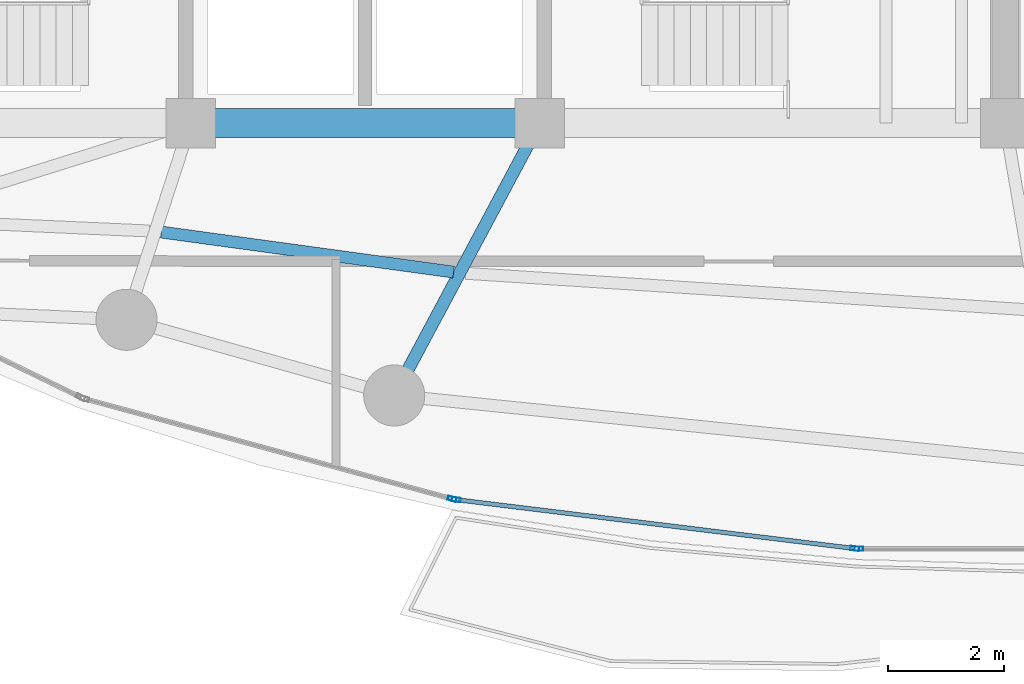
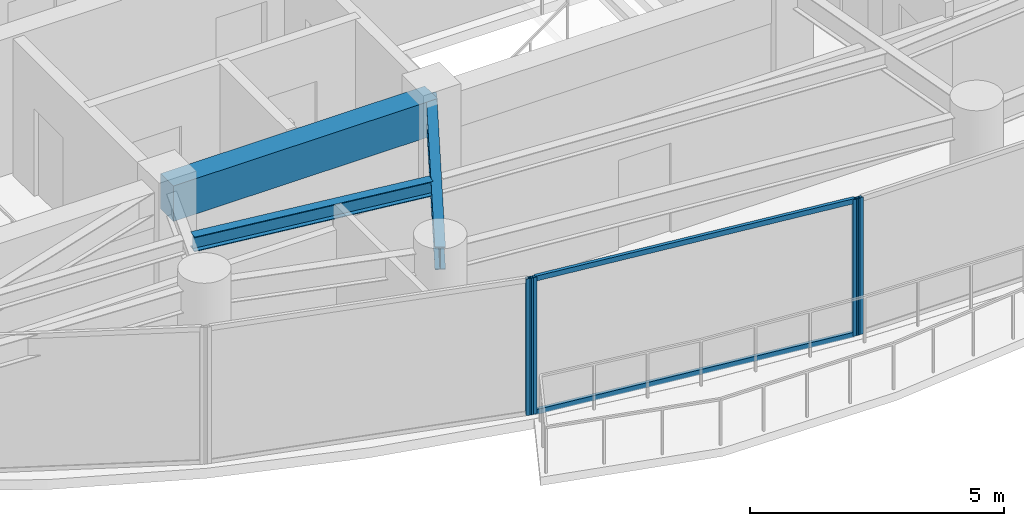
# One storey, part 5 of 29: 6 members, 3 beams, 3 elements without a shape of their own.
"""IFC4 building model written with IfcOpenShell, lengths in metres."""

from ifc_helpers import new_model, si_unit, direction, frame, origin, origin_2d, place, context, subcontext, project, spatial, rectangle, hollow_rectangle, i_section, extrude, material, layer, layer_set, material_profile, profile_set, type_object, element, aggregate, save


model = new_model("IFC4")

# Units and contexts
model_context = context("Model", 3, precision=1e-05, world=origin(), true_north=direction((0.0, 1.0)))
body_context = subcontext(model_context, "Body", "Model", "MODEL_VIEW")
ifc_project = project(units=[si_unit("LENGTHUNIT", "METRE"), si_unit("AREAUNIT", "SQUARE_METRE"), si_unit("VOLUMEUNIT", "CUBIC_METRE"), si_unit("PLANEANGLEUNIT", "RADIAN"), si_unit("MASSUNIT", "GRAM", prefix="KILO")], contexts=[model_context])

# Site, building, storey
site_placement = place(None, origin())
site = spatial("IfcSite", under=ifc_project, at=site_placement, CompositionType="ELEMENT")
building_placement = place(site_placement, origin())
building = spatial("IfcBuilding", under=site, at=building_placement, Name="Kazevale Care Tower and Concert Hall", CompositionType="ELEMENT")
storey_placement = place(building_placement, frame((0.0, 0.0, 249.60009765625)))
storey = spatial("IfcBuildingStorey", under=building, at=storey_placement, Name="L66", CompositionType="ELEMENT", Elevation=249.60009765625)

# Curtain wall, member
ifc_material_1 = material(Name="Aluminium 6063-T6 and Low-E Glass", Category="aluminium")
ifc_layer = layer(ifc_material_1, 0.179931640625)
ifc_layer_set = layer_set([ifc_layer], Name="Aluminium 6063-T6 and Low-E Glass")
curtain_wall_type = type_object("IfcCurtainWallType", Name="Sheltered Concave Balcony Curtain Wall CW-5", PredefinedType="NOTDEFINED", material=ifc_layer_set)
curtain_wall_1_placement = place(storey_placement, origin())
curtain_wall_1 = element("IfcCurtainWall", 1, at=curtain_wall_1_placement, inside=storey, type_object=curtain_wall_type, Name="cw:L66:f06", PredefinedType="NOTDEFINED")
ifc_material_2 = material(Name="Aluminium 6063-T6", Category="aluminium")
ifc_material_profile_1 = material_profile(ifc_material_2, hollow_rectangle(XDim=0.074951171875, YDim=0.14990234375, WallThickness=0.00390625, at=origin_2d()), Name="ALU75x150x4")
ifc_profile_set_1 = profile_set([ifc_material_profile_1], Name="Aluminium 6063-T6")
member_type_1 = type_object("IfcMemberType", Name="CW-5 Mullion ALU75x150x4", PredefinedType="MULLION", material=ifc_profile_set_1)
member_1_placement = place(storey_placement, frame((41.487548828125, 16.284912109375, 0.0), z_axis=(0.0, 0.0, 1.0), x_axis=(0.0, -1.0, 0.0)))
member_1 = element("IfcMember", 2, at=member_1_placement, type_object=member_type_1, Name="CW-5 mullion 2", PredefinedType="MULLION", context=body_context, shape_type="SweptSolid", body=[
    extrude(hollow_rectangle(XDim=0.074951171875, YDim=0.14990234375, WallThickness=0.00390625, at=origin_2d()), origin(), (0.0, 0.0, 1.0), 3.27978515625),
])
aggregate(curtain_wall_1, [member_1])

# Curtain wall, members
curtain_wall_2_placement = place(storey_placement, origin())
curtain_wall_2 = element("IfcCurtainWall", 3, at=curtain_wall_2_placement, inside=storey, type_object=curtain_wall_type, Name="cw:L66:f07", PredefinedType="NOTDEFINED")
member_2_placement = place(storey_placement, frame((41.412841796875, 16.28955078125, 0.0), z_axis=(0.0, 0.0, 1.0), x_axis=(-0.121650797964, -0.992572961225, 0.0)))
member_2 = element("IfcMember", 4, at=member_2_placement, type_object=member_type_1, Name="CW-5 mullion 1", PredefinedType="MULLION", context=body_context, shape_type="SweptSolid", body=[
    extrude(hollow_rectangle(XDim=0.074951171875, YDim=0.14990234375, WallThickness=0.00390625, at=origin_2d()), origin(), (0.0, 0.0, 1.0), 3.27978515625),
])
member_3_placement = place(storey_placement, frame((34.568115234375, 17.12841796875, 0.0), z_axis=(0.0, 0.0, 1.0), x_axis=(-0.121650797964, -0.992572961225, 0.0)))
member_3 = element("IfcMember", 5, at=member_3_placement, type_object=member_type_1, Name="CW-5 mullion 2", PredefinedType="MULLION", context=body_context, shape_type="SweptSolid", body=[
    extrude(hollow_rectangle(XDim=0.074951171875, YDim=0.14990234375, WallThickness=0.00390625, at=origin_2d()), origin(), (0.0, 0.0, 1.0), 3.27978515625),
])

# Curtain wall, member
curtain_wall_3_placement = place(storey_placement, origin())
curtain_wall_3 = element("IfcCurtainWall", 6, at=curtain_wall_3_placement, inside=storey, type_object=curtain_wall_type, Name="cw:L66:f08", PredefinedType="NOTDEFINED")
member_4_placement = place(storey_placement, frame((34.494873046875, 17.142822265625, 0.0), z_axis=(0.0, 0.0, 1.0), x_axis=(-0.262848968947, -0.964836991167, 0.0)))
member_4 = element("IfcMember", 7, at=member_4_placement, type_object=member_type_1, Name="CW-5 mullion 1", PredefinedType="MULLION", context=body_context, shape_type="SweptSolid", body=[
    extrude(hollow_rectangle(XDim=0.074951171875, YDim=0.14990234375, WallThickness=0.00390625, at=origin_2d()), origin(), (0.0, 0.0, 1.0), 3.27978515625),
])
aggregate(curtain_wall_3, [member_4])

# Member
ifc_material_profile_2 = material_profile(ifc_material_2, hollow_rectangle(XDim=0.074951171875, YDim=0.1201171875, WallThickness=0.00390625, at=origin_2d()), Name="ALU75x120x4")
ifc_profile_set_2 = profile_set([ifc_material_profile_2], Name="Aluminium 6063-T6")
member_type_2 = type_object("IfcMemberType", Name="CW-5 Transom ALU75x120x4", PredefinedType="USERDEFINED", material=ifc_profile_set_2)
member_5_placement = place(storey_placement, frame((41.37548828125, 16.294189453125, 0.037353515625), z_axis=(-0.992575633306, 0.121628993941, 0.0), x_axis=(-0.121628993941, -0.992575633306, 0.0)))
member_5 = element("IfcMember", 8, at=member_5_placement, type_object=member_type_2, Name="CW-5 transom 1.1", ObjectType="TRANSOM", PredefinedType="USERDEFINED", context=body_context, shape_type="SweptSolid", body=[
    extrude(hollow_rectangle(XDim=0.074951171875, YDim=0.1201171875, WallThickness=0.00390625, at=origin_2d()), origin(), (0.0, 0.0, 1.0), 6.820556640625),
])

member_6_placement = place(storey_placement, frame((41.37548828125, 16.294189453125, 3.242431640625), z_axis=(-0.992575633306, 0.121628993941, 0.0), x_axis=(-0.121628993941, -0.992575633306, 0.0)))
member_6 = element("IfcMember", 9, at=member_6_placement, type_object=member_type_2, Name="CW-5 transom 1.2", ObjectType="TRANSOM", PredefinedType="USERDEFINED", context=body_context, shape_type="SweptSolid", body=[
    extrude(hollow_rectangle(XDim=0.074951171875, YDim=0.1201171875, WallThickness=0.00390625, at=origin_2d()), origin(), (0.0, 0.0, 1.0), 6.820556640625),
])

aggregate(curtain_wall_2, [member_2, member_3, member_5, member_6])

# Beams
ifc_material_3 = material(Name="Concrete C60", Category="concrete")
ifc_material_profile_3 = material_profile(ifc_material_3, rectangle(XDim=0.5, YDim=0.85009765625, at=origin_2d()), Name="RC-B500x850")
ifc_profile_set_3 = profile_set([ifc_material_profile_3], Name="Concrete C60")
beam_type_1 = type_object("IfcBeamType", Name="Core Coupling Beam RC500x850", PredefinedType="LINTEL", material=ifc_profile_set_3)
beam_1_placement = place(storey_placement, frame((30.0, 23.60009765625, 2.85498046875), z_axis=(1.0, 0.0, 0.0), x_axis=(0.0, 1.0, 0.0)))
element("IfcBeam", 10, at=beam_1_placement, inside=storey, type_object=beam_type_1, Name="beam:L66:coretie:2", PredefinedType="LINTEL", context=body_context, shape_type="SweptSolid", body=[
    extrude(rectangle(XDim=0.5, YDim=0.85009765625, at=origin_2d()), origin(), (0.0, 0.0, 1.0), 6.0),
])
ifc_material_4 = material(Name="Steel ASTM A572 Gr 50", Category="steel")
ifc_material_profile_4 = material_profile(ifc_material_4, i_section(OverallWidth=0.2119140625, OverallDepth=0.5439453125, WebThickness=0.01318359375, FlangeThickness=0.021240234375, at=origin_2d()), Name="W530x123")
ifc_profile_set_4 = profile_set([ifc_material_profile_4], Name="Steel ASTM A572 Gr 50")
beam_type_2 = type_object("IfcBeamType", Name="Radial Floor Girder W530x123", PredefinedType="BEAM", material=ifc_profile_set_4)
beam_2_placement = place(storey_placement, frame((36.0, 23.60009765625, 3.0078125), z_axis=(-0.471161293943, -0.88204707079, 0.0), x_axis=(0.88204707079, -0.471161293943, 0.0)))
element("IfcBeam", 11, at=beam_2_placement, inside=storey, type_object=beam_type_2, Name="beam:L66:rad:12", PredefinedType="BEAM", context=body_context, shape_type="SweptSolid", body=[
    extrude(i_section(OverallWidth=0.2119140625, OverallDepth=0.5439453125, WebThickness=0.01318359375, FlangeThickness=0.021240234375, at=origin_2d()), origin(), (0.0, 0.0, 1.0), 5.30615234375),
])
ifc_material_profile_5 = material_profile(ifc_material_4, i_section(OverallWidth=0.205078125, OverallDepth=0.35400390625, WebThickness=0.009521484375, FlangeThickness=0.016845703125, at=origin_2d()), Name="W360x79")
ifc_profile_set_5 = profile_set([ifc_material_profile_5], Name="Steel ASTM A572 Gr 50")
beam_type_3 = type_object("IfcBeamType", Name="Secondary Floor Joist W360x79", PredefinedType="JOIST", material=ifc_profile_set_5)
beam_3_placement = place(storey_placement, frame((29.4990234375, 21.72705078125, 3.102783203125), z_axis=(0.990772043119, -0.13553877148, 0.0), x_axis=(0.13553877148, 0.990772043119, 0.0)))
element("IfcBeam", 12, at=beam_3_placement, inside=storey, type_object=beam_type_3, Name="beam:L66:joist:11", PredefinedType="JOIST", context=body_context, shape_type="SweptSolid", body=[
    extrude(i_section(OverallWidth=0.205078125, OverallDepth=0.35400390625, WebThickness=0.009521484375, FlangeThickness=0.016845703125, at=origin_2d()), origin(), (0.0, 0.0, 1.0), 5.06884765625),
])

save(model, "model.ifc")
